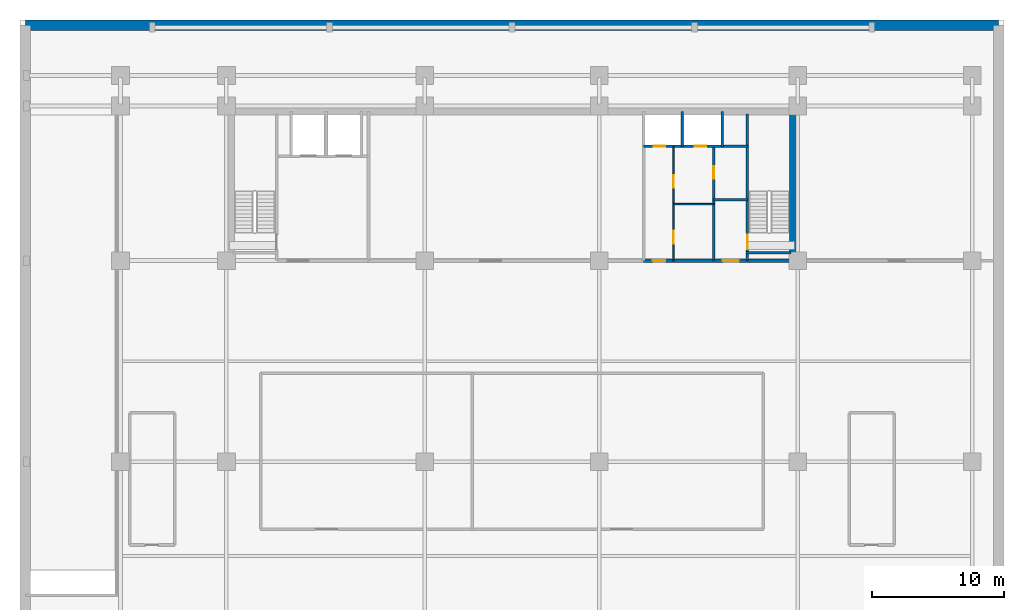
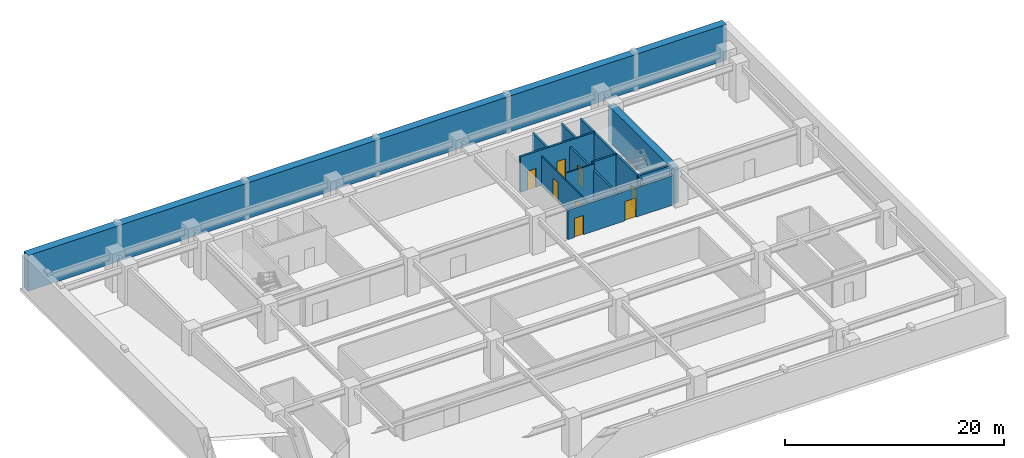
# One storey, part 5 of 8: 12 walls, 8 doors, 8 openings.
"""IFC4 building model written with IfcOpenShell, lengths in metres."""

from ifc_helpers import new_model, si_unit, direction, frame, frame_2d, origin, place, context, subcontext, project, spatial, rectangle, extrude, source, transform, mapped, material, layer, layer_set, type_object, element, fill, save


model = new_model("IFC4")

# Units and contexts
model_context = context("Model", 3, precision=1e-05, world=origin(), true_north=direction((0.0, 1.0)))
body_context = subcontext(model_context, "Body", "Model", "MODEL_VIEW")
ifc_project = project(units=[si_unit("LENGTHUNIT", "METRE"), si_unit("AREAUNIT", "SQUARE_METRE"), si_unit("VOLUMEUNIT", "CUBIC_METRE"), si_unit("PLANEANGLEUNIT", "RADIAN"), si_unit("MASSUNIT", "GRAM", prefix="KILO")], contexts=[model_context])

# Site, building, storey
site_placement = place(None, origin())
site = spatial("IfcSite", under=ifc_project, at=site_placement, CompositionType="ELEMENT")
building_placement = place(site_placement, origin())
building = spatial("IfcBuilding", under=site, at=building_placement, Name="Trelvane Seafront Commons", CompositionType="ELEMENT")
storey_placement = place(building_placement, frame((0.0, 0.0, -8.60009765625)))
storey = spatial("IfcBuildingStorey", under=building, at=storey_placement, Name="B02", CompositionType="ELEMENT", Elevation=-8.60009765625)

# Wall, opening, door
ifc_material_1 = material(Name="Concrete C40/50", Category="concrete")
ifc_layer_1 = layer(ifc_material_1, 0.199951171875, Name="ARCH-WALL-FIRE200")
ifc_layer_set_1 = layer_set([ifc_layer_1], Name="Concrete C40/50")
wall_type_1 = type_object("IfcWallType", Name="ARCH-WALL-FIRE200", PredefinedType="PARTITIONING", material=ifc_layer_set_1)
wall_1_placement = place(storey_placement, frame((52.449951171875, 33.39990234375, 0.0), z_axis=(0.0, 0.0, 1.0), x_axis=(0.0, 1.0, 0.0)))
wall_1 = element("IfcWall", 1, at=wall_1_placement, inside=storey, type_object=wall_type_1, Name="W-B02-ST2V-W-027", PredefinedType="PARTITIONING", context=body_context, shape_type="SweptSolid", body=[
    extrude(rectangle(XDim=8.650146484375, YDim=0.199951171875, at=frame_2d((4.3251953125, 0.0))), origin(), (0.0, 0.0, 1.0), 3.280029296875),
])
opening_1_placement = place(wall_1_placement, frame((6.199951171875, 0.0, 0.0)))
opening_1 = element("IfcOpeningElement", 2, at=opening_1_placement, cuts=wall_1, Name="Opening FD-B02-11", PredefinedType="OPENING", context=body_context, shape_type="SweptSolid", body=[
    extrude(rectangle(XDim=0.949951171875, YDim=2.14990234375, at=frame_2d((0.47509765625, 1.074951171875))), frame((0.0, 0.10986328125, 0.0), z_axis=(0.0, -1.0, 0.0), x_axis=(1.0, 0.0, 0.0)), (0.0, 0.0, 1.0), 0.219970703125),
])
ifc_material_2 = material(Name="Powder-coated aluminium frame", Category="aluminium")
door_type_1 = type_object("IfcDoorType", Name="ARCH-DR-FD60-950", OperationType="NOTDEFINED", PredefinedType="DOOR", material=ifc_material_2)
shared_shape_1 = source(origin(), body_context, "Body", "SweptSolid", [
    extrude(rectangle(XDim=0.949951171875, YDim=2.14990234375, at=frame_2d((0.47509765625, 1.074951171875))), frame((0.0, 0.02490234375, 0.0), z_axis=(0.0, -1.0, 0.0), x_axis=(1.0, 0.0, 0.0)), (0.0, 0.0, 1.0), 0.050048828125),
])
door_1_placement = place(opening_1_placement, origin())
door_1 = element("IfcDoor", 3, at=door_1_placement, inside=storey, type_object=door_type_1, Name="B02 Cleaner Store Door", OperationType="SINGLE_SWING_LEFT", OverallHeight=2.14990234375, OverallWidth=0.949951171875, PredefinedType="DOOR", context=body_context, shape_type="MappedRepresentation", body=[
    mapped(shared_shape_1, transform((0.0, 0.0, 0.0), x_axis=(1.0, 0.0, 0.0), y_axis=(0.0, 1.0, 0.0), z_axis=(0.0, 0.0, 1.0), scale=1.0)),
])
fill(opening_1, door_1)

# Wall
wall_2_placement = place(storey_placement, frame((52.449951171875, 38.0, 0.0), z_axis=(0.0, 0.0, 1.0), x_axis=(1.0, 0.0, 0.0)))
element("IfcWall", 4, at=wall_2_placement, inside=storey, type_object=wall_type_1, Name="W-B02-ST2V-N-028", PredefinedType="PARTITIONING", context=body_context, shape_type="SweptSolid", body=[
    extrude(rectangle(XDim=2.550048828125, YDim=0.199951171875, at=frame_2d((1.27490234375, 0.0))), origin(), (0.0, 0.0, 1.0), 3.97998046875),
])

# Wall, openings, doors
ifc_layer_2 = layer(ifc_material_1, 0.25, Name="ARCH-WALL-FIRE250")
ifc_layer_set_2 = layer_set([ifc_layer_2], Name="Concrete C40/50")
wall_type_2 = type_object("IfcWallType", Name="ARCH-WALL-FIRE250", PredefinedType="PARTITIONING", material=ifc_layer_set_2)
wall_3_placement = place(storey_placement, frame((47.14990234375, 33.39990234375, 0.0), z_axis=(0.0, 0.0, 1.0), x_axis=(1.0, 0.0, 0.0)))
wall_3 = element("IfcWall", 5, at=wall_3_placement, inside=storey, type_object=wall_type_2, Name="W-B02-CS-EAST-031", PredefinedType="PARTITIONING", context=body_context, shape_type="SweptSolid", body=[
    extrude(rectangle(XDim=11.150146484375, YDim=0.25, at=frame_2d((5.5751953125, 0.0))), origin(), (0.0, 0.0, 1.0), 3.280029296875),
])
opening_2_placement = place(wall_3_placement, frame((0.699951171875, 0.0, 0.0)))
opening_2 = element("IfcOpeningElement", 6, at=opening_2_placement, cuts=wall_3, Name="Opening FD-B02-14", PredefinedType="OPENING", context=body_context, shape_type="SweptSolid", body=[
    extrude(rectangle(XDim=0.949951171875, YDim=2.14990234375, at=frame_2d((0.47509765625, 1.074951171875))), frame((0.0, 0.135009765625, 0.0), z_axis=(0.0, -1.0, 0.0), x_axis=(1.0, 0.0, 0.0)), (0.0, 0.0, 1.0), 0.27001953125),
])
opening_3_placement = place(wall_3_placement, frame((6.0, 0.0, 0.0)))
opening_3 = element("IfcOpeningElement", 7, at=opening_3_placement, cuts=wall_3, Name="Opening FD-B02-15", PredefinedType="OPENING", context=body_context, shape_type="SweptSolid", body=[
    extrude(rectangle(XDim=1.199951171875, YDim=2.14990234375, at=frame_2d((0.60009765625, 1.074951171875))), frame((0.0, 0.135009765625, 0.0), z_axis=(0.0, -1.0, 0.0), x_axis=(1.0, 0.0, 0.0)), (0.0, 0.0, 1.0), 0.27001953125),
])
door_2_placement = place(opening_2_placement, origin())
door_2 = element("IfcDoor", 8, at=door_2_placement, inside=storey, type_object=door_type_1, Name="B02 Core Service Lobby Door", OperationType="SINGLE_SWING_RIGHT", OverallHeight=2.14990234375, OverallWidth=0.949951171875, PredefinedType="DOOR", context=body_context, shape_type="MappedRepresentation", body=[
    mapped(shared_shape_1, transform((0.0, 0.0, 0.0), x_axis=(1.0, 0.0, 0.0), y_axis=(0.0, 1.0, 0.0), z_axis=(0.0, 0.0, 1.0), scale=1.0)),
])
fill(opening_2, door_2)
door_type_2 = type_object("IfcDoorType", Name="ARCH-DR-FD60-1200", OperationType="NOTDEFINED", PredefinedType="DOOR", material=ifc_material_2)
shared_shape_2 = source(origin(), body_context, "Body", "SweptSolid", [
    extrude(rectangle(XDim=1.199951171875, YDim=2.14990234375, at=frame_2d((0.60009765625, 1.074951171875))), frame((0.0, 0.02490234375, 0.0), z_axis=(0.0, -1.0, 0.0), x_axis=(1.0, 0.0, 0.0)), (0.0, 0.0, 1.0), 0.050048828125),
])
door_3_placement = place(opening_3_placement, origin())
door_3 = element("IfcDoor", 9, at=door_3_placement, inside=storey, type_object=door_type_2, Name="B02 East Stair Vestibule Fire Door", OperationType="SINGLE_SWING_LEFT", OverallHeight=2.14990234375, OverallWidth=1.199951171875, PredefinedType="DOOR", context=body_context, shape_type="MappedRepresentation", body=[
    mapped(shared_shape_2, transform((0.0, 0.0, 0.0), x_axis=(1.0, 0.0, 0.0), y_axis=(0.0, 1.0, 0.0), z_axis=(0.0, 0.0, 1.0), scale=1.0)),
])
fill(opening_3, door_3)

ifc_material_3 = material(Name="Gypsum Drywall Acoustic Partition")
ifc_layer_3 = layer(ifc_material_3, 0.1201171875, Name="ARCH-WALL-PART120")
ifc_layer_set_3 = layer_set([ifc_layer_3], Name="Gypsum Drywall Acoustic Partition")
wall_type_3 = type_object("IfcWallType", Name="ARCH-WALL-PART120", PredefinedType="PARTITIONING", material=ifc_layer_set_3)
wall_4_placement = place(storey_placement, frame((49.419921875, 33.39990234375, 0.0), z_axis=(0.0, 0.0, 1.0), x_axis=(0.0, 1.0, 0.0)))
wall_4 = element("IfcWall", 10, at=wall_4_placement, inside=storey, type_object=wall_type_3, Name="W-B02-CYC0-V-029", PredefinedType="PARTITIONING", context=body_context, shape_type="SweptSolid", body=[
    extrude(rectangle(XDim=8.60009765625, YDim=0.1201171875, at=frame_2d((4.300048828125, 0.0))), origin(), (0.0, 0.0, 1.0), 3.280029296875),
])
opening_4_placement = place(wall_4_placement, frame((1.300048828125, 0.0, 0.0)))
opening_4 = element("IfcOpeningElement", 11, at=opening_4_placement, cuts=wall_4, Name="Opening D-B02-12", PredefinedType="OPENING", context=body_context, shape_type="SweptSolid", body=[
    extrude(rectangle(XDim=0.949951171875, YDim=2.14990234375, at=frame_2d((0.47509765625, 1.074951171875))), frame((0.0, 0.070068359375, 0.0), z_axis=(0.0, -1.0, 0.0), x_axis=(1.0, 0.0, 0.0)), (0.0, 0.0, 1.0), 0.14013671875),
])
opening_5_placement = place(wall_4_placement, frame((5.5, 0.0, 0.0)))
opening_5 = element("IfcOpeningElement", 12, at=opening_5_placement, cuts=wall_4, Name="Opening D-B02-13", PredefinedType="OPENING", context=body_context, shape_type="SweptSolid", body=[
    extrude(rectangle(XDim=0.949951171875, YDim=2.14990234375, at=frame_2d((0.47509765625, 1.074951171875))), frame((0.0, 0.070068359375, 0.0), z_axis=(0.0, -1.0, 0.0), x_axis=(1.0, 0.0, 0.0)), (0.0, 0.0, 1.0), 0.14013671875),
])
ifc_material_4 = material(Name="Acoustic timber door leaf", Category="wood")
door_type_3 = type_object("IfcDoorType", Name="ARCH-DR-INT950", OperationType="NOTDEFINED", PredefinedType="DOOR", material=ifc_material_4)
door_4_placement = place(opening_4_placement, origin())
door_4 = element("IfcDoor", 13, at=door_4_placement, inside=storey, type_object=door_type_3, Name="B02 Accessible WC Door", OperationType="SINGLE_SWING_RIGHT", OverallHeight=2.14990234375, OverallWidth=0.949951171875, PredefinedType="DOOR", context=body_context, shape_type="MappedRepresentation", body=[
    mapped(shared_shape_1, transform((0.0, 0.0, 0.0), x_axis=(1.0, 0.0, 0.0), y_axis=(0.0, 1.0, 0.0), z_axis=(0.0, 0.0, 1.0), scale=1.0)),
])
fill(opening_4, door_4)
door_5_placement = place(opening_5_placement, origin())
door_5 = element("IfcDoor", 14, at=door_5_placement, inside=storey, type_object=door_type_3, Name="B02 Common WC Door", OperationType="SINGLE_SWING_LEFT", OverallHeight=2.14990234375, OverallWidth=0.949951171875, PredefinedType="DOOR", context=body_context, shape_type="MappedRepresentation", body=[
    mapped(shared_shape_1, transform((0.0, 0.0, 0.0), x_axis=(1.0, 0.0, 0.0), y_axis=(0.0, 1.0, 0.0), z_axis=(0.0, 0.0, 1.0), scale=1.0)),
])
fill(opening_5, door_5)

# Wall
wall_5_placement = place(storey_placement, frame((49.419921875, 37.679931640625, 0.0), z_axis=(0.0, 0.0, 1.0), x_axis=(1.0, 0.0, 0.0)))
element("IfcWall", 15, at=wall_5_placement, inside=storey, type_object=wall_type_3, Name="W-B02-CYC0-H-030", PredefinedType="PARTITIONING", context=body_context, shape_type="SweptSolid", body=[
    extrude(rectangle(XDim=3.030029296875, YDim=0.1201171875, at=frame_2d((1.51513671875, 0.0))), origin(), (0.0, 0.0, 1.0), 3.97998046875),
])

# Wall, openings, doors
ifc_layer_4 = layer(ifc_material_1, 0.199951171875, Name="ARCH-WALL-SHAFT200")
ifc_layer_set_4 = layer_set([ifc_layer_4], Name="Concrete C40/50")
wall_type_4 = type_object("IfcWallType", Name="ARCH-WALL-SHAFT200", PredefinedType="SOLIDWALL", material=ifc_layer_set_4)
wall_6_placement = place(storey_placement, frame((47.14990234375, 42.050048828125, 0.0), z_axis=(0.0, 0.0, 1.0), x_axis=(1.0, 0.0, 0.0)))
wall_6 = element("IfcWall", 16, at=wall_6_placement, inside=storey, type_object=wall_type_4, Name="W-B02-RSR-S-024", PredefinedType="SOLIDWALL", context=body_context, shape_type="SweptSolid", body=[
    extrude(rectangle(XDim=7.85009765625, YDim=0.199951171875, at=frame_2d((3.925048828125, 0.0))), origin(), (0.0, 0.0, 1.0), 3.97998046875),
])
opening_6_placement = place(wall_6_placement, frame((0.75, 0.0, 0.0)))
opening_6 = element("IfcOpeningElement", 17, at=opening_6_placement, cuts=wall_6, Name="Opening FD-B02-09", PredefinedType="OPENING", context=body_context, shape_type="SweptSolid", body=[
    extrude(rectangle(XDim=0.89990234375, YDim=2.10009765625, at=frame_2d((0.449951171875, 1.050048828125))), frame((0.0, 0.10986328125, 0.0), z_axis=(0.0, -1.0, 0.0), x_axis=(1.0, 0.0, 0.0)), (0.0, 0.0, 1.0), 0.219970703125),
])
opening_7_placement = place(wall_6_placement, frame((3.85009765625, 0.0, 0.0)))
opening_7 = element("IfcOpeningElement", 18, at=opening_7_placement, cuts=wall_6, Name="Opening FD-B02-10", PredefinedType="OPENING", context=body_context, shape_type="SweptSolid", body=[
    extrude(rectangle(XDim=0.89990234375, YDim=2.10009765625, at=frame_2d((0.449951171875, 1.050048828125))), frame((0.0, 0.10986328125, 0.0), z_axis=(0.0, -1.0, 0.0), x_axis=(1.0, 0.0, 0.0)), (0.0, 0.0, 1.0), 0.219970703125),
])
door_type_4 = type_object("IfcDoorType", Name="ARCH-DR-FD60-900", OperationType="NOTDEFINED", PredefinedType="DOOR", material=ifc_material_2)
shared_shape_3 = source(origin(), body_context, "Body", "SweptSolid", [
    extrude(rectangle(XDim=0.89990234375, YDim=2.10009765625, at=frame_2d((0.449951171875, 1.050048828125))), frame((0.0, 0.02490234375, 0.0), z_axis=(0.0, -1.0, 0.0), x_axis=(1.0, 0.0, 0.0)), (0.0, 0.0, 1.0), 0.050048828125),
])
door_6_placement = place(opening_6_placement, origin())
door_6 = element("IfcDoor", 19, at=door_6_placement, inside=storey, type_object=door_type_4, Name="B02 Electrical Riser Access Door", OperationType="SINGLE_SWING_LEFT", OverallHeight=2.10009765625, OverallWidth=0.89990234375, PredefinedType="DOOR", context=body_context, shape_type="MappedRepresentation", body=[
    mapped(shared_shape_3, transform((0.0, 0.0, 0.0), x_axis=(1.0, 0.0, 0.0), y_axis=(0.0, 1.0, 0.0), z_axis=(0.0, 0.0, 1.0), scale=1.0)),
])
fill(opening_6, door_6)
door_7_placement = place(opening_7_placement, origin())
door_7 = element("IfcDoor", 20, at=door_7_placement, inside=storey, type_object=door_type_4, Name="B02 Mechanical Riser Access Door", OperationType="SINGLE_SWING_RIGHT", OverallHeight=2.10009765625, OverallWidth=0.89990234375, PredefinedType="DOOR", context=body_context, shape_type="MappedRepresentation", body=[
    mapped(shared_shape_3, transform((0.0, 0.0, 0.0), x_axis=(1.0, 0.0, 0.0), y_axis=(0.0, 1.0, 0.0), z_axis=(0.0, 0.0, 1.0), scale=1.0)),
])
fill(opening_7, door_7)

# Walls
for number, where, z_axis, x_axis, name in (
    (21, (50.080078125, 42.050048828125, 0.0), (0.0, 0.0, 1.0), (0.0, 1.0, 0.0), "W-B02-RSR-DIV-025"),
    (22, (53.10009765625, 42.050048828125, 0.0), (0.0, 0.0, 1.0), (0.0, 1.0, 0.0), "W-B02-RSR-E-026"),
):
    element("IfcWall", number, at=place(storey_placement, frame(where, z_axis=z_axis, x_axis=x_axis)), inside=storey, type_object=wall_type_4, Name=name, PredefinedType="SOLIDWALL", context=body_context, shape_type="SweptSolid", body=[
        extrude(rectangle(XDim=2.64990234375, YDim=0.199951171875, at=frame_2d((1.324951171875, 0.0))), origin(), (0.0, 0.0, 1.0), 3.97998046875),
    ])
ifc_material_5 = material(Name="Concrete C60/75", Category="concrete")
ifc_layer_5 = layer(ifc_material_5, 0.699951171875, Name="STR-WALL-CORE700")
ifc_layer_set_5 = layer_set([ifc_layer_5], Name="Concrete C60/75")
wall_type_5 = type_object("IfcWallType", Name="STR-WALL-CORE700", PredefinedType="SHEAR", material=ifc_layer_set_5)
wall_7_placement = place(storey_placement, frame((58.550048828125, 33.39990234375, 0.0), z_axis=(0.0, 0.0, 1.0), x_axis=(0.0, 1.0, 0.0)))
element("IfcWall", 23, at=wall_7_placement, inside=storey, type_object=wall_type_5, Name="W-B02-CE-END-003", PredefinedType="SHEAR", context=body_context, shape_type="SweptSolid", body=[
    extrude(rectangle(XDim=11.7001953125, YDim=0.699951171875, at=frame_2d((5.85009765625, 0.0))), origin(), (0.0, 0.0, 1.0), 3.97998046875),
])
ifc_material_6 = material(Name="Concrete C50/60", Category="concrete")
ifc_layer_6 = layer(ifc_material_6, 0.800048828125, Name="STR-WALL-RET800")
ifc_layer_set_6 = layer_set([ifc_layer_6], Name="Concrete C50/60")
wall_type_6 = type_object("IfcWallType", Name="STR-WALL-RET800", PredefinedType="USERDEFINED", material=ifc_layer_set_6)
wall_8_placement = place(storey_placement, frame((74.0, 51.199951171875, 0.0), z_axis=(0.0, 0.0, 1.0), x_axis=(-1.0, 0.0, 0.0)))
element("IfcWall", 24, at=wall_8_placement, inside=storey, type_object=wall_type_6, Name="RET-B02-07", ObjectType="RETAINING WALL", PredefinedType="USERDEFINED", context=body_context, shape_type="SweptSolid", body=[
    extrude(rectangle(XDim=73.60009765625, YDim=0.800048828125, at=frame_2d((36.800048828125, 0.0))), origin(), (0.0, 0.0, 1.0), 3.97998046875),
])
ifc_layer_7 = layer(ifc_material_6, 0.199951171875, Name="STR-WALL-STAIR200")
ifc_layer_set_7 = layer_set([ifc_layer_7], Name="Concrete C50/60")
wall_type_7 = type_object("IfcWallType", Name="STR-WALL-STAIR200", PredefinedType="SHEAR", material=ifc_layer_set_7)
wall_9_placement = place(storey_placement, frame((54.89990234375, 34.0, 0.0), z_axis=(0.0, 0.0, 1.0), x_axis=(1.0, 0.0, 0.0)))
element("IfcWall", 25, at=wall_9_placement, inside=storey, type_object=wall_type_7, Name="W-B02-ST2-S-006", PredefinedType="SHEAR", context=body_context, shape_type="SweptSolid", body=[
    extrude(rectangle(XDim=3.400146484375, YDim=0.199951171875, at=frame_2d((1.7001953125, 0.0))), origin(), (0.0, 0.0, 1.0), 3.97998046875),
])

# Wall, opening, door
wall_10_placement = place(storey_placement, frame((55.0, 33.39990234375, 0.0), z_axis=(0.0, 0.0, 1.0), x_axis=(0.0, 1.0, 0.0)))
wall_10 = element("IfcWall", 26, at=wall_10_placement, inside=storey, type_object=wall_type_7, Name="W-B02-ST2-W-007", PredefinedType="SHEAR", context=body_context, shape_type="SweptSolid", body=[
    extrude(rectangle(XDim=11.10009765625, YDim=0.199951171875, at=frame_2d((5.550048828125, 0.0))), origin(), (0.0, 0.0, 1.0), 3.97998046875),
])
opening_8_placement = place(wall_10_placement, frame((0.85009765625, 0.0, 0.0)))
opening_8 = element("IfcOpeningElement", 27, at=opening_8_placement, cuts=wall_10, Name="Opening ST-D2-B02", PredefinedType="OPENING", context=body_context, shape_type="SweptSolid", body=[
    extrude(rectangle(XDim=1.10009765625, YDim=2.14990234375, at=frame_2d((0.550048828125, 1.074951171875))), frame((0.0, 0.10986328125, 0.0), z_axis=(0.0, -1.0, 0.0), x_axis=(1.0, 0.0, 0.0)), (0.0, 0.0, 1.0), 0.219970703125),
])
door_type_5 = type_object("IfcDoorType", Name="ARCH-DR-FD90-1100", OperationType="NOTDEFINED", PredefinedType="DOOR", material=ifc_material_2)
shared_shape_4 = source(origin(), body_context, "Body", "SweptSolid", [
    extrude(rectangle(XDim=1.10009765625, YDim=2.14990234375, at=frame_2d((0.550048828125, 1.074951171875))), frame((0.0, 0.02490234375, 0.0), z_axis=(0.0, -1.0, 0.0), x_axis=(1.0, 0.0, 0.0)), (0.0, 0.0, 1.0), 0.050048828125),
])
door_8_placement = place(opening_8_placement, origin())
door_8 = element("IfcDoor", 28, at=door_8_placement, inside=storey, type_object=door_type_5, Name="B02 Stair ST-2 Vestibule Fire Door", OperationType="SINGLE_SWING_RIGHT", OverallHeight=2.14990234375, OverallWidth=1.10009765625, PredefinedType="DOOR", context=body_context, shape_type="MappedRepresentation", body=[
    mapped(shared_shape_4, transform((0.0, 0.0, 0.0), x_axis=(1.0, 0.0, 0.0), y_axis=(0.0, 1.0, 0.0), z_axis=(0.0, 0.0, 1.0), scale=1.0)),
])
fill(opening_8, door_8)

save(model, "model.ifc")
